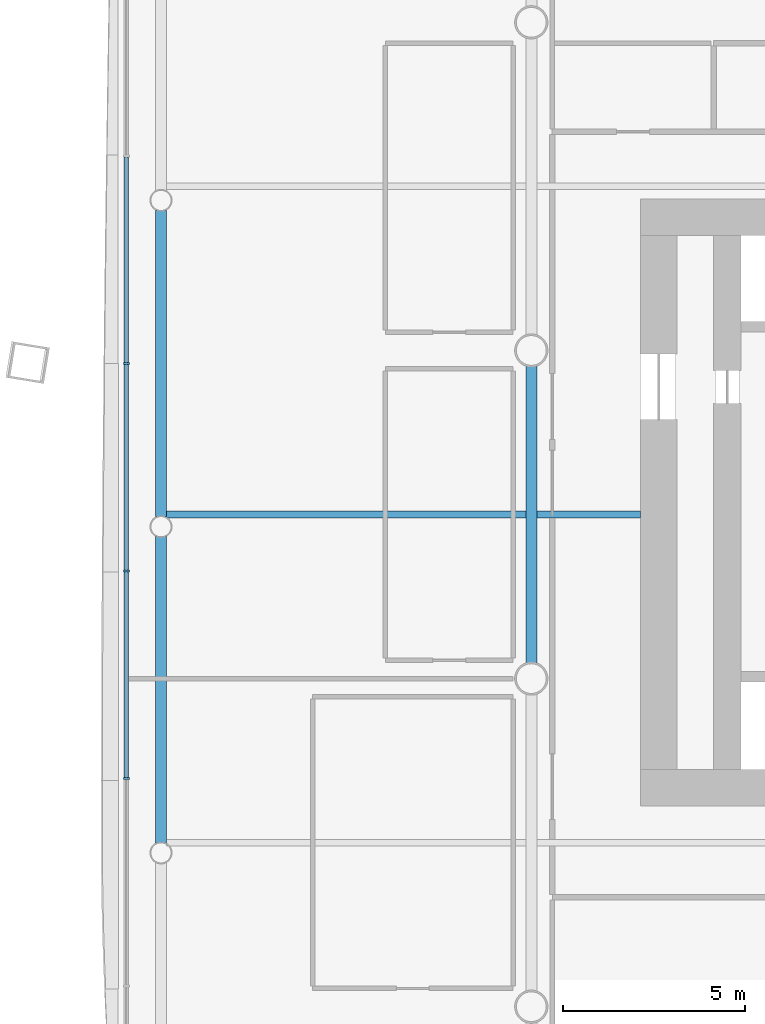
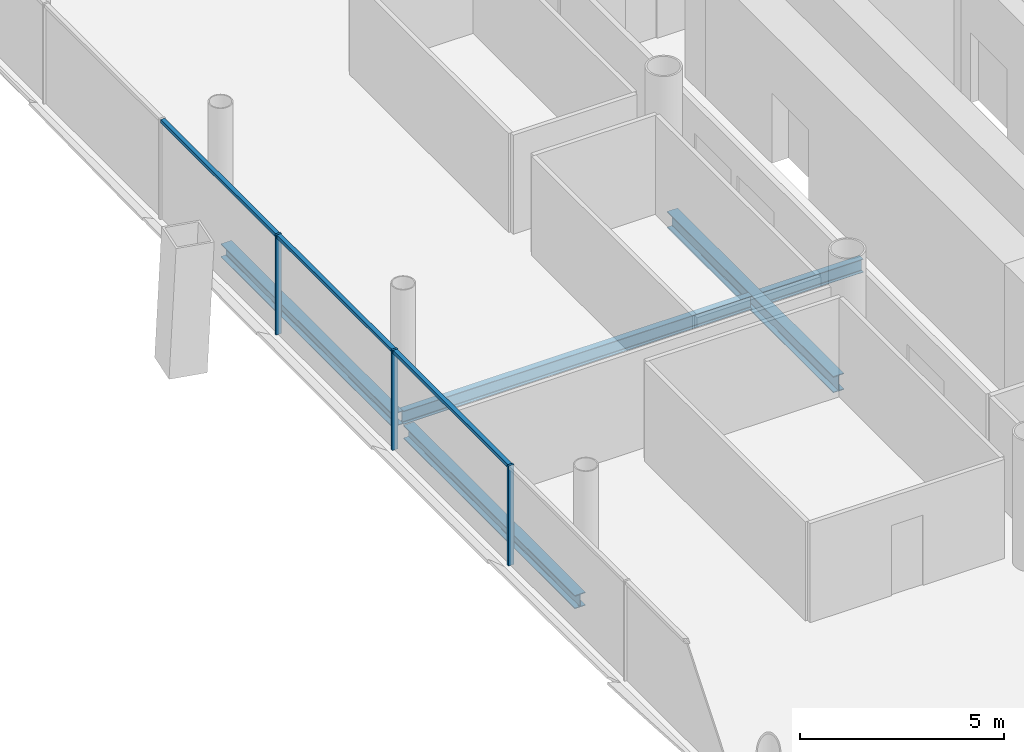
# One storey, part 4 of 20: 6 members, 5 beams, 1 element without a shape of its own.
"""IFC4 building model written with IfcOpenShell, lengths in metres."""

from ifc_helpers import new_model, si_unit, direction, frame, origin, origin_2d, place, context, subcontext, project, spatial, rectangle, i_section, extrude, material, material_profile, profile_set, type_object, element, aggregate, save


model = new_model("IFC4")

# Units and contexts
model_context = context("Model", 3, precision=1e-05, world=origin(), true_north=direction((0.0, 1.0)))
body_context = subcontext(model_context, "Body", "Model", "MODEL_VIEW")
ifc_project = project(units=[si_unit("LENGTHUNIT", "METRE"), si_unit("AREAUNIT", "SQUARE_METRE"), si_unit("VOLUMEUNIT", "CUBIC_METRE"), si_unit("PLANEANGLEUNIT", "RADIAN"), si_unit("MASSUNIT", "GRAM", prefix="KILO")], contexts=[model_context])

# Site, building, storey
site_placement = place(None, origin())
site = spatial("IfcSite", under=ifc_project, at=site_placement, CompositionType="ELEMENT")
building_placement = place(site_placement, origin())
building = spatial("IfcBuilding", under=site, at=building_placement, Name="Tskaro Facet Tower", CompositionType="ELEMENT")
storey_placement = place(building_placement, frame((0.0, 0.0, 53.699951171875)))
storey = spatial("IfcBuildingStorey", under=building, at=storey_placement, Name="L12", CompositionType="ELEMENT", Elevation=53.699951171875)

# Curtain wall, members
ifc_material_1 = material(Name="Bronze anodised aluminium 6063-T6", Category="aluminium")
curtain_wall_type = type_object("IfcCurtainWallType", Name="Bronze office curtain wall (FW1)", PredefinedType="NOTDEFINED", material=ifc_material_1)
curtain_wall_placement = place(storey_placement, origin())
curtain_wall = element("IfcCurtainWall", 1, at=curtain_wall_placement, inside=storey, type_object=curtain_wall_type, Name="FW1 west facet L12", PredefinedType="NOTDEFINED")
ifc_material_profile_1 = material_profile(ifc_material_1, rectangle(XDim=0.06005859375, YDim=0.159912109375, at=origin_2d()), Name="Mullion 60x160")
ifc_profile_set_1 = profile_set([ifc_material_profile_1], Name="Bronze anodised aluminium 6063-T6")
member_type_1 = type_object("IfcMemberType", Name="FW1 bronze mullion 60x160", PredefinedType="MULLION", material=ifc_profile_set_1)
member_1_placement = place(storey_placement, frame((-29.10693359375, -0.3583984375, 0.0), z_axis=(0.0, 0.0, 1.0), x_axis=(0.0, -1.0, 0.0)))
member_1 = element("IfcMember", 2, at=member_1_placement, type_object=member_type_1, Name="FW1 west mullion 4", PredefinedType="MULLION", context=body_context, shape_type="SweptSolid", body=[
    extrude(rectangle(XDim=0.06005859375, YDim=0.159912109375, at=origin_2d()), origin(), (0.0, 0.0, 1.0), 2.989990234375),
])
member_2_placement = place(storey_placement, frame((-29.10693359375, -6.04931640625, 0.0), z_axis=(0.0, 0.0, 1.0), x_axis=(0.0, -1.0, 0.0)))
member_2 = element("IfcMember", 3, at=member_2_placement, type_object=member_type_1, Name="FW1 west mullion 5", PredefinedType="MULLION", context=body_context, shape_type="SweptSolid", body=[
    extrude(rectangle(XDim=0.06005859375, YDim=0.159912109375, at=origin_2d()), origin(), (0.0, 0.0, 1.0), 2.989990234375),
])
member_3_placement = place(storey_placement, frame((-29.10693359375, -11.740234375, 0.0), z_axis=(0.0, 0.0, 1.0), x_axis=(0.0, -1.0, 0.0)))
member_3 = element("IfcMember", 4, at=member_3_placement, type_object=member_type_1, Name="FW1 west mullion 6", PredefinedType="MULLION", context=body_context, shape_type="SweptSolid", body=[
    extrude(rectangle(XDim=0.06005859375, YDim=0.159912109375, at=origin_2d()), origin(), (0.0, 0.0, 1.0), 2.989990234375),
])
ifc_material_profile_2 = material_profile(ifc_material_1, rectangle(XDim=0.1201171875, YDim=0.10009765625, at=origin_2d()), Name="Transom 120x100")
ifc_profile_set_2 = profile_set([ifc_material_profile_2], Name="Bronze anodised aluminium 6063-T6")
member_type_2 = type_object("IfcMemberType", Name="FW1 bronze transom 120x100", PredefinedType="USERDEFINED", material=ifc_profile_set_2)
member_4_placement = place(storey_placement, frame((-29.10693359375, 5.302490234375, 2.93994140625), z_axis=(0.0, -1.0, 0.0), x_axis=(1.0, 0.0, 0.0)))
member_4 = element("IfcMember", 5, at=member_4_placement, type_object=member_type_2, Name="FW1 west transom 4.1", ObjectType="TRANSOM", PredefinedType="USERDEFINED", context=body_context, shape_type="SweptSolid", body=[
    extrude(rectangle(XDim=0.1201171875, YDim=0.10009765625, at=origin_2d()), origin(), (0.0, 0.0, 1.0), 5.631103515625),
])
member_5_placement = place(storey_placement, frame((-29.10693359375, -0.388427734375, 2.93994140625), z_axis=(0.0, -1.0, 0.0), x_axis=(1.0, 0.0, 0.0)))
member_5 = element("IfcMember", 6, at=member_5_placement, type_object=member_type_2, Name="FW1 west transom 5.1", ObjectType="TRANSOM", PredefinedType="USERDEFINED", context=body_context, shape_type="SweptSolid", body=[
    extrude(rectangle(XDim=0.1201171875, YDim=0.10009765625, at=origin_2d()), origin(), (0.0, 0.0, 1.0), 5.630859375),
])
member_6_placement = place(storey_placement, frame((-29.10693359375, -6.079345703125, 2.93994140625), z_axis=(0.0, -1.0, 0.0), x_axis=(1.0, 0.0, 0.0)))
member_6 = element("IfcMember", 7, at=member_6_placement, type_object=member_type_2, Name="FW1 west transom 6.1", ObjectType="TRANSOM", PredefinedType="USERDEFINED", context=body_context, shape_type="SweptSolid", body=[
    extrude(rectangle(XDim=0.1201171875, YDim=0.10009765625, at=origin_2d()), origin(), (0.0, 0.0, 1.0), 5.630859375),
])
aggregate(curtain_wall, [member_1, member_2, member_3, member_4, member_5, member_6])

# Beams
ifc_material_2 = material(Name="Steel S355J2", Category="steel")
ifc_material_profile_3 = material_profile(ifc_material_2, i_section(OverallWidth=0.300048828125, OverallDepth=0.39990234375, WebThickness=0.013427734375, FlangeThickness=0.02392578125, FilletRadius=0.027099609375, at=origin_2d()), Name="HE 400 B")
ifc_profile_set_3 = profile_set([ifc_material_profile_3], Name="Steel S355J2")
beam_type_1 = type_object("IfcBeamType", Name="HE 400 B ring beam", PredefinedType="BEAM", material=ifc_profile_set_3)
beam_1_placement = place(storey_placement, frame((-28.156982421875, 3.841064453125, -0.33984375), z_axis=(0.0, -1.0, 0.0), x_axis=(1.0, 0.0, 0.0)))
element("IfcBeam", 8, at=beam_1_placement, inside=storey, type_object=beam_type_1, Name="HE 400 B EB22-1", PredefinedType="BEAM", context=body_context, shape_type="SweptSolid", body=[
    extrude(i_section(OverallWidth=0.300048828125, OverallDepth=0.39990234375, WebThickness=0.013427734375, FlangeThickness=0.02392578125, FilletRadius=0.027099609375, at=origin_2d()), origin(), (0.0, 0.0, 1.0), 8.399169921875),
])
beam_2_placement = place(storey_placement, frame((-28.156982421875, -5.10791015625, -0.33984375), z_axis=(0.0, -1.0, 0.0), x_axis=(1.0, 0.0, 0.0)))
element("IfcBeam", 9, at=beam_2_placement, inside=storey, type_object=beam_type_1, Name="HE 400 B EB23-1", PredefinedType="BEAM", context=body_context, shape_type="SweptSolid", body=[
    extrude(i_section(OverallWidth=0.300048828125, OverallDepth=0.39990234375, WebThickness=0.013427734375, FlangeThickness=0.02392578125, FilletRadius=0.027099609375, at=origin_2d()), origin(), (0.0, 0.0, 1.0), 8.398193359375),
])
ifc_material_profile_4 = material_profile(ifc_material_2, i_section(OverallWidth=0.300048828125, OverallDepth=0.489990234375, WebThickness=0.011962890625, FlangeThickness=0.02294921875, FilletRadius=0.027099609375, at=origin_2d()), Name="HE 500 A")
ifc_profile_set_4 = profile_set([ifc_material_profile_4], Name="Steel S355J2")
beam_type_2 = type_object("IfcBeamType", Name="HE 500 A girder", PredefinedType="BEAM", material=ifc_profile_set_4)
beam_3_placement = place(storey_placement, frame((-18.0, -8.57275390625, -0.385009765625), z_axis=(0.0, 1.0, 0.0), x_axis=(-1.0, 0.0, 0.0)))
element("IfcBeam", 10, at=beam_3_placement, inside=storey, type_object=beam_type_2, Name="HE 500 A GB2-3-1", PredefinedType="BEAM", context=body_context, shape_type="SweptSolid", body=[
    extrude(i_section(OverallWidth=0.300048828125, OverallDepth=0.489990234375, WebThickness=0.011962890625, FlangeThickness=0.02294921875, FilletRadius=0.027099609375, at=origin_2d()), origin(), (0.0, 0.0, 1.0), 8.1455078125),
])
ifc_material_profile_5 = material_profile(ifc_material_2, i_section(OverallWidth=0.179931640625, OverallDepth=0.39990234375, WebThickness=0.008544921875, FlangeThickness=0.013427734375, FilletRadius=0.02099609375, at=origin_2d()), Name="IPE 400")
ifc_profile_set_5 = profile_set([ifc_material_profile_5], Name="Steel S355J2")
beam_type_3 = type_object("IfcBeamType", Name="IPE 400 secondary beam", PredefinedType="BEAM", material=ifc_profile_set_5)
beam_4_placement = place(storey_placement, frame((-28.007080078125, -4.5, -0.33984375), z_axis=(1.0, 0.0, 0.0), x_axis=(0.0, 1.0, 0.0)))
element("IfcBeam", 11, at=beam_4_placement, inside=storey, type_object=beam_type_3, Name="IPE 400 SB3a-1-1", PredefinedType="BEAM", context=body_context, shape_type="SweptSolid", body=[
    extrude(i_section(OverallWidth=0.179931640625, OverallDepth=0.39990234375, WebThickness=0.008544921875, FlangeThickness=0.013427734375, FilletRadius=0.02099609375, at=origin_2d()), origin(), (0.0, 0.0, 1.0), 9.857177734375),
])
beam_5_placement = place(storey_placement, frame((-17.85009765625, -4.5, -0.33984375), z_axis=(1.0, 0.0, 0.0), x_axis=(0.0, 1.0, 0.0)))
element("IfcBeam", 12, at=beam_5_placement, inside=storey, type_object=beam_type_3, Name="IPE 400 SB3a-2-1", PredefinedType="BEAM", context=body_context, shape_type="SweptSolid", body=[
    extrude(i_section(OverallWidth=0.179931640625, OverallDepth=0.39990234375, WebThickness=0.008544921875, FlangeThickness=0.013427734375, FilletRadius=0.02099609375, at=origin_2d()), origin(), (0.0, 0.0, 1.0), 2.85009765625),
])

save(model, "model.ifc")
